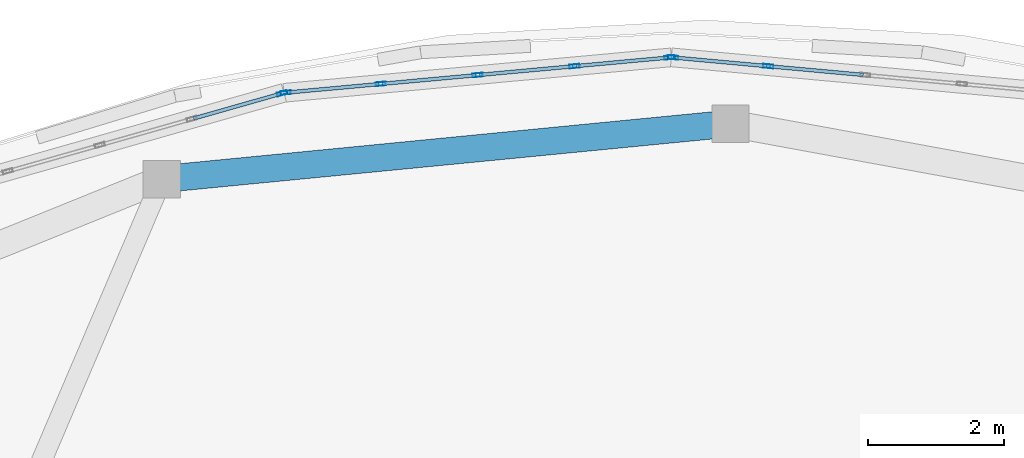
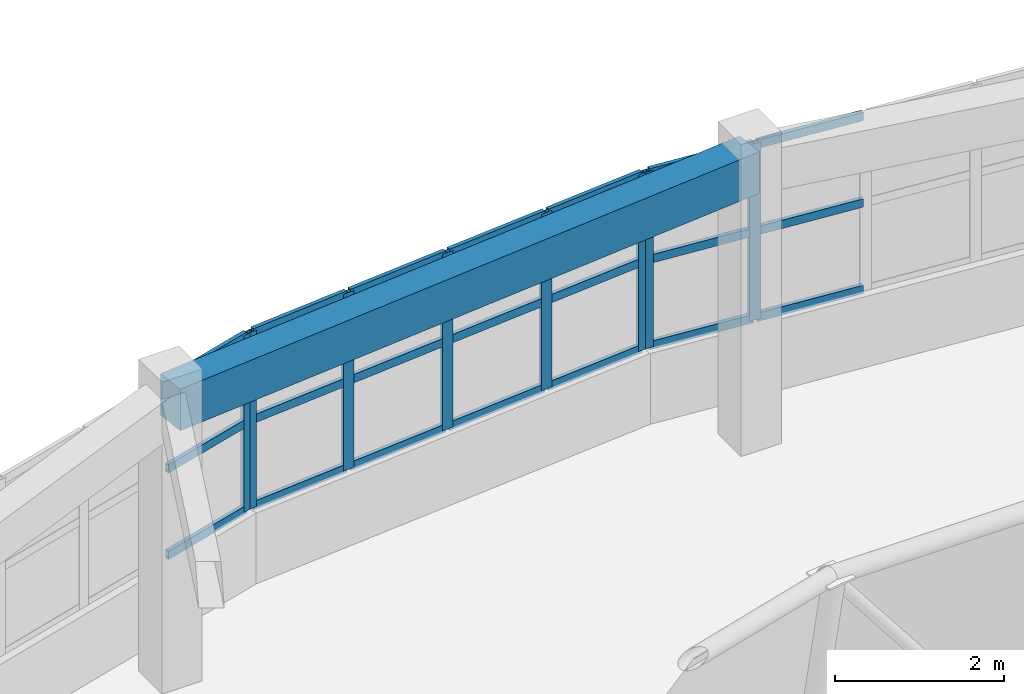
# One storey, part 20 of 46: 29 members, 1 beam, 3 elements without a shape of their own.
"""IFC4 building model written with IfcOpenShell, lengths in metres."""

from ifc_helpers import new_model, si_unit, direction, frame, origin, origin_2d, place, context, subcontext, project, spatial, rectangle, hollow_rectangle, extrude, material, layer, layer_set, material_profile, profile_set, type_object, element, aggregate, save


model = new_model("IFC4")

# Units and contexts
model_context = context("Model", 3, precision=1e-05, world=origin(), true_north=direction((0.0, 1.0)))
body_context = subcontext(model_context, "Body", "Model", "MODEL_VIEW")
ifc_project = project(units=[si_unit("LENGTHUNIT", "METRE"), si_unit("AREAUNIT", "SQUARE_METRE"), si_unit("VOLUMEUNIT", "CUBIC_METRE"), si_unit("PLANEANGLEUNIT", "RADIAN"), si_unit("MASSUNIT", "GRAM", prefix="KILO")], contexts=[model_context])

# Site, building, storey
site_placement = place(None, origin())
site = spatial("IfcSite", under=ifc_project, at=site_placement, CompositionType="ELEMENT")
building_placement = place(site_placement, origin())
building = spatial("IfcBuilding", under=site, at=building_placement, Name="Pelvatis Terrace Science Centre", CompositionType="ELEMENT")
storey_placement = place(building_placement, frame((0.0, 0.0, 19.800048828125)))
storey = spatial("IfcBuildingStorey", under=building, at=storey_placement, Name="L04", CompositionType="ELEMENT", Elevation=19.800048828125)

# Beam
ifc_material_1 = material(Name="Concrete C35/45", Category="concrete")
ifc_material_profile_1 = material_profile(ifc_material_1, rectangle(XDim=0.39990234375, YDim=0.60009765625, at=origin_2d()), Name="RC-BM 400x600")
ifc_profile_set_1 = profile_set([ifc_material_profile_1], Name="Concrete C35/45")
beam_type = type_object("IfcBeamType", Name="BM-RC-400x600", PredefinedType="BEAM", material=ifc_profile_set_1)
beam_placement = place(storey_placement, frame((110.4716796875, 104.4736328125, 3.949951171875), z_axis=(-0.995278052194, -0.097064920652, 0.0), x_axis=(0.097064920652, -0.995278052194, 0.0)))
element("IfcBeam", 1, at=beam_placement, inside=storey, type_object=beam_type, Name="Beam BM-L04-3083", PredefinedType="BEAM", context=body_context, shape_type="SweptSolid", body=[
    extrude(rectangle(XDim=0.39990234375, YDim=0.60009765625, at=origin_2d()), origin(), (0.0, 0.0, 1.0), 8.416015625),
])

# Curtain wall, members
ifc_material_2 = material(Name="Bronze-anodised aluminium and laminated glass", Category="aluminium")
ifc_layer = layer(ifc_material_2, 0.14990234375)
ifc_layer_set = layer_set([ifc_layer], Name="Bronze-anodised aluminium and laminated glass")
curtain_wall_type = type_object("IfcCurtainWallType", Name="CW-PASSAGE-C", PredefinedType="NOTDEFINED", material=ifc_layer_set)
curtain_wall_1_placement = place(storey_placement, origin())
curtain_wall_1 = element("IfcCurtainWall", 2, at=curtain_wall_1_placement, inside=storey, type_object=curtain_wall_type, Name="Ribbon curtain wall CW-217 (L04)", PredefinedType="NOTDEFINED")
ifc_material_3 = material(Name="Bronze-anodised aluminium 6063-T6", Category="aluminium")
ifc_material_profile_2 = material_profile(ifc_material_3, hollow_rectangle(XDim=0.054931640625, YDim=0.14990234375, WallThickness=0.00390625, at=origin_2d()), Name="ALU-MUL 55x150")
ifc_profile_set_2 = profile_set([ifc_material_profile_2], Name="Bronze-anodised aluminium 6063-T6")
member_type_1 = type_object("IfcMemberType", Name="CWM-55x150", PredefinedType="MULLION", material=ifc_profile_set_2)
member_1_placement = place(storey_placement, frame((111.02685546875, 105.3193359375, 1.02001953125), z_axis=(0.0, 0.0, 1.0), x_axis=(-0.09121373299, -0.995831338588, 0.0)))
member_1 = element("IfcMember", 3, at=member_1_placement, type_object=member_type_1, Name="CW-217 mullion 4", PredefinedType="MULLION", context=body_context, shape_type="SweptSolid", body=[
    extrude(hollow_rectangle(XDim=0.054931640625, YDim=0.14990234375, WallThickness=0.00390625, at=origin_2d()), origin(), (0.0, 0.0, 1.0), 2.550048828125),
])
member_2_placement = place(storey_placement, frame((109.62744140625, 105.447509765625, 1.02001953125), z_axis=(0.0, 0.0, 1.0), x_axis=(-0.09121373299, -0.995831338588, 0.0)))
member_2 = element("IfcMember", 4, at=member_2_placement, type_object=member_type_1, Name="CW-217 mullion 5", PredefinedType="MULLION", context=body_context, shape_type="SweptSolid", body=[
    extrude(hollow_rectangle(XDim=0.054931640625, YDim=0.14990234375, WallThickness=0.00390625, at=origin_2d()), origin(), (0.0, 0.0, 1.0), 2.550048828125),
])

curtain_wall_2_placement = place(storey_placement, origin())
curtain_wall_2 = element("IfcCurtainWall", 5, at=curtain_wall_2_placement, inside=storey, type_object=curtain_wall_type, Name="Ribbon curtain wall CW-218 (L04)", PredefinedType="NOTDEFINED")
member_3_placement = place(storey_placement, frame((109.572509765625, 105.447509765625, 1.02001953125), z_axis=(0.0, 0.0, 1.0), x_axis=(0.09121373299, -0.995831338588, 0.0)))
member_3 = element("IfcMember", 6, at=member_3_placement, type_object=member_type_1, Name="CW-218 mullion 1", PredefinedType="MULLION", context=body_context, shape_type="SweptSolid", body=[
    extrude(hollow_rectangle(XDim=0.054931640625, YDim=0.14990234375, WallThickness=0.00390625, at=origin_2d()), origin(), (0.0, 0.0, 1.0), 2.550048828125),
])
member_4_placement = place(storey_placement, frame((108.173095703125, 105.3193359375, 1.02001953125), z_axis=(0.0, 0.0, 1.0), x_axis=(0.09121373299, -0.995831338588, 0.0)))
member_4 = element("IfcMember", 7, at=member_4_placement, type_object=member_type_1, Name="CW-218 mullion 2", PredefinedType="MULLION", context=body_context, shape_type="SweptSolid", body=[
    extrude(hollow_rectangle(XDim=0.054931640625, YDim=0.14990234375, WallThickness=0.00390625, at=origin_2d()), origin(), (0.0, 0.0, 1.0), 2.550048828125),
])
member_5_placement = place(storey_placement, frame((106.74609375, 105.188720703125, 1.02001953125), z_axis=(0.0, 0.0, 1.0), x_axis=(0.09121373299, -0.995831338588, 0.0)))
member_5 = element("IfcMember", 8, at=member_5_placement, type_object=member_type_1, Name="CW-218 mullion 3", PredefinedType="MULLION", context=body_context, shape_type="SweptSolid", body=[
    extrude(hollow_rectangle(XDim=0.054931640625, YDim=0.14990234375, WallThickness=0.00390625, at=origin_2d()), origin(), (0.0, 0.0, 1.0), 2.550048828125),
])
member_6_placement = place(storey_placement, frame((105.3193359375, 105.057861328125, 1.02001953125), z_axis=(0.0, 0.0, 1.0), x_axis=(0.09121373299, -0.995831338588, 0.0)))
member_6 = element("IfcMember", 9, at=member_6_placement, type_object=member_type_1, Name="CW-218 mullion 4", PredefinedType="MULLION", context=body_context, shape_type="SweptSolid", body=[
    extrude(hollow_rectangle(XDim=0.054931640625, YDim=0.14990234375, WallThickness=0.00390625, at=origin_2d()), origin(), (0.0, 0.0, 1.0), 2.550048828125),
])
member_7_placement = place(storey_placement, frame((103.919677734375, 104.9296875, 1.02001953125), z_axis=(0.0, 0.0, 1.0), x_axis=(0.09121373299, -0.995831338588, 0.0)))
member_7 = element("IfcMember", 10, at=member_7_placement, type_object=member_type_1, Name="CW-218 mullion 5", PredefinedType="MULLION", context=body_context, shape_type="SweptSolid", body=[
    extrude(hollow_rectangle(XDim=0.054931640625, YDim=0.14990234375, WallThickness=0.00390625, at=origin_2d()), origin(), (0.0, 0.0, 1.0), 2.550048828125),
])

# Curtain wall, member
curtain_wall_3_placement = place(storey_placement, origin())
curtain_wall_3 = element("IfcCurtainWall", 11, at=curtain_wall_3_placement, inside=storey, type_object=curtain_wall_type, Name="Ribbon curtain wall CW-219 (L04)", PredefinedType="NOTDEFINED")
member_8_placement = place(storey_placement, frame((103.865966796875, 104.919677734375, 1.02001953125), z_axis=(0.0, 0.0, 1.0), x_axis=(0.273577429116, -0.96184998325, 0.0)))
member_8 = element("IfcMember", 12, at=member_8_placement, type_object=member_type_1, Name="CW-219 mullion 1", PredefinedType="MULLION", context=body_context, shape_type="SweptSolid", body=[
    extrude(hollow_rectangle(XDim=0.054931640625, YDim=0.14990234375, WallThickness=0.00390625, at=origin_2d()), origin(), (0.0, 0.0, 1.0), 2.550048828125),
])

# Member
ifc_material_4 = material(Name="Bronze-anodised aluminium 6063-T6", Category="aluminium")
ifc_material_profile_3 = material_profile(ifc_material_4, hollow_rectangle(XDim=0.054931640625, YDim=0.1201171875, WallThickness=0.00341796875, at=origin_2d()), Name="ALU-TRN 55x120")
ifc_profile_set_3 = profile_set([ifc_material_profile_3], Name="Bronze-anodised aluminium 6063-T6")
member_type_2 = type_object("IfcMemberType", Name="CWT-55x120", PredefinedType="USERDEFINED", material=ifc_profile_set_3)
member_9_placement = place(storey_placement, frame((112.426513671875, 105.191162109375, 1.04736328125), z_axis=(-0.995829063871, 0.091238563938, 0.0), x_axis=(-0.091238563938, -0.995829063871, 0.0)))
member_9 = element("IfcMember", 13, at=member_9_placement, type_object=member_type_2, Name="CW-217 transom 3.1", ObjectType="TRANSOM", PredefinedType="USERDEFINED", context=body_context, shape_type="SweptSolid", body=[
    extrude(hollow_rectangle(XDim=0.054931640625, YDim=0.1201171875, WallThickness=0.00341796875, at=origin_2d()), origin(), (0.0, 0.0, 1.0), 1.378173828125),
])

member_10_placement = place(storey_placement, frame((112.426513671875, 105.191162109375, 2.294921875), z_axis=(-0.995829063871, 0.091238563938, 0.0), x_axis=(-0.091238563938, -0.995829063871, 0.0)))
member_10 = element("IfcMember", 14, at=member_10_placement, type_object=member_type_2, Name="CW-217 transom 3.2", ObjectType="TRANSOM", PredefinedType="USERDEFINED", context=body_context, shape_type="SweptSolid", body=[
    extrude(hollow_rectangle(XDim=0.054931640625, YDim=0.1201171875, WallThickness=0.00341796875, at=origin_2d()), origin(), (0.0, 0.0, 1.0), 1.378173828125),
])

member_11_placement = place(storey_placement, frame((112.426513671875, 105.191162109375, 3.54248046875), z_axis=(-0.995829063871, 0.091238563938, 0.0), x_axis=(-0.091238563938, -0.995829063871, 0.0)))
member_11 = element("IfcMember", 15, at=member_11_placement, type_object=member_type_2, Name="CW-217 transom 3.3", ObjectType="TRANSOM", PredefinedType="USERDEFINED", context=body_context, shape_type="SweptSolid", body=[
    extrude(hollow_rectangle(XDim=0.054931640625, YDim=0.1201171875, WallThickness=0.00341796875, at=origin_2d()), origin(), (0.0, 0.0, 1.0), 1.378173828125),
])

member_12_placement = place(storey_placement, frame((110.99951171875, 105.32177734375, 1.04736328125), z_axis=(-0.995823260917, 0.091301878497, 0.0), x_axis=(-0.091301878497, -0.995823260917, 0.0)))
member_12 = element("IfcMember", 16, at=member_12_placement, type_object=member_type_2, Name="CW-217 transom 4.1", ObjectType="TRANSOM", PredefinedType="USERDEFINED", context=body_context, shape_type="SweptSolid", body=[
    extrude(hollow_rectangle(XDim=0.054931640625, YDim=0.1201171875, WallThickness=0.00341796875, at=origin_2d()), origin(), (0.0, 0.0, 1.0), 1.350341796875),
])

member_13_placement = place(storey_placement, frame((110.99951171875, 105.32177734375, 2.294921875), z_axis=(-0.995823260917, 0.091301878497, 0.0), x_axis=(-0.091301878497, -0.995823260917, 0.0)))
member_13 = element("IfcMember", 17, at=member_13_placement, type_object=member_type_2, Name="CW-217 transom 4.2", ObjectType="TRANSOM", PredefinedType="USERDEFINED", context=body_context, shape_type="SweptSolid", body=[
    extrude(hollow_rectangle(XDim=0.054931640625, YDim=0.1201171875, WallThickness=0.00341796875, at=origin_2d()), origin(), (0.0, 0.0, 1.0), 1.350341796875),
])

member_14_placement = place(storey_placement, frame((110.99951171875, 105.32177734375, 3.54248046875), z_axis=(-0.995823260917, 0.091301878497, 0.0), x_axis=(-0.091301878497, -0.995823260917, 0.0)))
member_14 = element("IfcMember", 18, at=member_14_placement, type_object=member_type_2, Name="CW-217 transom 4.3", ObjectType="TRANSOM", PredefinedType="USERDEFINED", context=body_context, shape_type="SweptSolid", body=[
    extrude(hollow_rectangle(XDim=0.054931640625, YDim=0.1201171875, WallThickness=0.00341796875, at=origin_2d()), origin(), (0.0, 0.0, 1.0), 1.350341796875),
])

aggregate(curtain_wall_1, [member_1, member_2, member_9, member_10, member_11, member_12, member_13, member_14])

member_15_placement = place(storey_placement, frame((109.545166015625, 105.445068359375, 1.04736328125), z_axis=(-0.995823260917, -0.091301878497, 0.0), x_axis=(0.091301878497, -0.995823260917, 0.0)))
member_15 = element("IfcMember", 19, at=member_15_placement, type_object=member_type_2, Name="CW-218 transom 1.1", ObjectType="TRANSOM", PredefinedType="USERDEFINED", context=body_context, shape_type="SweptSolid", body=[
    extrude(hollow_rectangle(XDim=0.054931640625, YDim=0.1201171875, WallThickness=0.00341796875, at=origin_2d()), origin(), (0.0, 0.0, 1.0), 1.350341796875),
])

member_16_placement = place(storey_placement, frame((109.545166015625, 105.445068359375, 2.294921875), z_axis=(-0.995823260917, -0.091301878497, 0.0), x_axis=(0.091301878497, -0.995823260917, 0.0)))
member_16 = element("IfcMember", 20, at=member_16_placement, type_object=member_type_2, Name="CW-218 transom 1.2", ObjectType="TRANSOM", PredefinedType="USERDEFINED", context=body_context, shape_type="SweptSolid", body=[
    extrude(hollow_rectangle(XDim=0.054931640625, YDim=0.1201171875, WallThickness=0.00341796875, at=origin_2d()), origin(), (0.0, 0.0, 1.0), 1.350341796875),
])

member_17_placement = place(storey_placement, frame((109.545166015625, 105.445068359375, 3.54248046875), z_axis=(-0.995823260917, -0.091301878497, 0.0), x_axis=(0.091301878497, -0.995823260917, 0.0)))
member_17 = element("IfcMember", 21, at=member_17_placement, type_object=member_type_2, Name="CW-218 transom 1.3", ObjectType="TRANSOM", PredefinedType="USERDEFINED", context=body_context, shape_type="SweptSolid", body=[
    extrude(hollow_rectangle(XDim=0.054931640625, YDim=0.1201171875, WallThickness=0.00341796875, at=origin_2d()), origin(), (0.0, 0.0, 1.0), 1.350341796875),
])

member_18_placement = place(storey_placement, frame((108.145751953125, 105.31689453125, 1.04736328125), z_axis=(-0.995829063871, -0.091238563938, 0.0), x_axis=(0.091238563938, -0.995829063871, 0.0)))
member_18 = element("IfcMember", 22, at=member_18_placement, type_object=member_type_2, Name="CW-218 transom 2.1", ObjectType="TRANSOM", PredefinedType="USERDEFINED", context=body_context, shape_type="SweptSolid", body=[
    extrude(hollow_rectangle(XDim=0.054931640625, YDim=0.1201171875, WallThickness=0.00341796875, at=origin_2d()), origin(), (0.0, 0.0, 1.0), 1.378173828125),
])

member_19_placement = place(storey_placement, frame((108.145751953125, 105.31689453125, 2.294921875), z_axis=(-0.995829063871, -0.091238563938, 0.0), x_axis=(0.091238563938, -0.995829063871, 0.0)))
member_19 = element("IfcMember", 23, at=member_19_placement, type_object=member_type_2, Name="CW-218 transom 2.2", ObjectType="TRANSOM", PredefinedType="USERDEFINED", context=body_context, shape_type="SweptSolid", body=[
    extrude(hollow_rectangle(XDim=0.054931640625, YDim=0.1201171875, WallThickness=0.00341796875, at=origin_2d()), origin(), (0.0, 0.0, 1.0), 1.378173828125),
])

member_20_placement = place(storey_placement, frame((108.145751953125, 105.31689453125, 3.54248046875), z_axis=(-0.995829063871, -0.091238563938, 0.0), x_axis=(0.091238563938, -0.995829063871, 0.0)))
member_20 = element("IfcMember", 24, at=member_20_placement, type_object=member_type_2, Name="CW-218 transom 2.3", ObjectType="TRANSOM", PredefinedType="USERDEFINED", context=body_context, shape_type="SweptSolid", body=[
    extrude(hollow_rectangle(XDim=0.054931640625, YDim=0.1201171875, WallThickness=0.00341796875, at=origin_2d()), origin(), (0.0, 0.0, 1.0), 1.378173828125),
])

member_21_placement = place(storey_placement, frame((106.71875, 105.18603515625, 1.04736328125), z_axis=(-0.995827588698, -0.091254663377, 0.0), x_axis=(0.091254663377, -0.995827588698, 0.0)))
member_21 = element("IfcMember", 25, at=member_21_placement, type_object=member_type_2, Name="CW-218 transom 3.1", ObjectType="TRANSOM", PredefinedType="USERDEFINED", context=body_context, shape_type="SweptSolid", body=[
    extrude(hollow_rectangle(XDim=0.054931640625, YDim=0.1201171875, WallThickness=0.00341796875, at=origin_2d()), origin(), (0.0, 0.0, 1.0), 1.3779296875),
])

member_22_placement = place(storey_placement, frame((106.71875, 105.18603515625, 2.294921875), z_axis=(-0.995827588698, -0.091254663377, 0.0), x_axis=(0.091254663377, -0.995827588698, 0.0)))
member_22 = element("IfcMember", 26, at=member_22_placement, type_object=member_type_2, Name="CW-218 transom 3.2", ObjectType="TRANSOM", PredefinedType="USERDEFINED", context=body_context, shape_type="SweptSolid", body=[
    extrude(hollow_rectangle(XDim=0.054931640625, YDim=0.1201171875, WallThickness=0.00341796875, at=origin_2d()), origin(), (0.0, 0.0, 1.0), 1.3779296875),
])

member_23_placement = place(storey_placement, frame((106.71875, 105.18603515625, 3.54248046875), z_axis=(-0.995827588698, -0.091254663377, 0.0), x_axis=(0.091254663377, -0.995827588698, 0.0)))
member_23 = element("IfcMember", 27, at=member_23_placement, type_object=member_type_2, Name="CW-218 transom 3.3", ObjectType="TRANSOM", PredefinedType="USERDEFINED", context=body_context, shape_type="SweptSolid", body=[
    extrude(hollow_rectangle(XDim=0.054931640625, YDim=0.1201171875, WallThickness=0.00341796875, at=origin_2d()), origin(), (0.0, 0.0, 1.0), 1.3779296875),
])

member_24_placement = place(storey_placement, frame((105.291748046875, 105.055419921875, 1.04736328125), z_axis=(-0.995823260917, -0.091301878497, 0.0), x_axis=(0.091301878497, -0.995823260917, 0.0)))
member_24 = element("IfcMember", 28, at=member_24_placement, type_object=member_type_2, Name="CW-218 transom 4.1", ObjectType="TRANSOM", PredefinedType="USERDEFINED", context=body_context, shape_type="SweptSolid", body=[
    extrude(hollow_rectangle(XDim=0.054931640625, YDim=0.1201171875, WallThickness=0.00341796875, at=origin_2d()), origin(), (0.0, 0.0, 1.0), 1.350341796875),
])

member_25_placement = place(storey_placement, frame((105.291748046875, 105.055419921875, 2.294921875), z_axis=(-0.995823260917, -0.091301878497, 0.0), x_axis=(0.091301878497, -0.995823260917, 0.0)))
member_25 = element("IfcMember", 29, at=member_25_placement, type_object=member_type_2, Name="CW-218 transom 4.2", ObjectType="TRANSOM", PredefinedType="USERDEFINED", context=body_context, shape_type="SweptSolid", body=[
    extrude(hollow_rectangle(XDim=0.054931640625, YDim=0.1201171875, WallThickness=0.00341796875, at=origin_2d()), origin(), (0.0, 0.0, 1.0), 1.350341796875),
])

member_26_placement = place(storey_placement, frame((105.291748046875, 105.055419921875, 3.54248046875), z_axis=(-0.995823260917, -0.091301878497, 0.0), x_axis=(0.091301878497, -0.995823260917, 0.0)))
member_26 = element("IfcMember", 30, at=member_26_placement, type_object=member_type_2, Name="CW-218 transom 4.3", ObjectType="TRANSOM", PredefinedType="USERDEFINED", context=body_context, shape_type="SweptSolid", body=[
    extrude(hollow_rectangle(XDim=0.054931640625, YDim=0.1201171875, WallThickness=0.00341796875, at=origin_2d()), origin(), (0.0, 0.0, 1.0), 1.350341796875),
])

aggregate(curtain_wall_2, [member_3, member_4, member_5, member_6, member_7, member_15, member_16, member_17, member_18, member_19, member_20, member_21, member_22, member_23, member_24, member_25, member_26])

member_27_placement = place(storey_placement, frame((103.83935546875, 104.912109375, 1.04736328125), z_axis=(-0.961870452647, -0.273505452092, 0.0), x_axis=(0.273505452092, -0.961870452647, 0.0)))
member_27 = element("IfcMember", 31, at=member_27_placement, type_object=member_type_2, Name="CW-219 transom 1.1", ObjectType="TRANSOM", PredefinedType="USERDEFINED", context=body_context, shape_type="SweptSolid", body=[
    extrude(hollow_rectangle(XDim=0.054931640625, YDim=0.1201171875, WallThickness=0.00341796875, at=origin_2d()), origin(), (0.0, 0.0, 1.0), 1.326416015625),
])

member_28_placement = place(storey_placement, frame((103.83935546875, 104.912109375, 2.294921875), z_axis=(-0.961870452647, -0.273505452092, 0.0), x_axis=(0.273505452092, -0.961870452647, 0.0)))
member_28 = element("IfcMember", 32, at=member_28_placement, type_object=member_type_2, Name="CW-219 transom 1.2", ObjectType="TRANSOM", PredefinedType="USERDEFINED", context=body_context, shape_type="SweptSolid", body=[
    extrude(hollow_rectangle(XDim=0.054931640625, YDim=0.1201171875, WallThickness=0.00341796875, at=origin_2d()), origin(), (0.0, 0.0, 1.0), 1.326416015625),
])

member_29_placement = place(storey_placement, frame((103.83935546875, 104.912109375, 3.54248046875), z_axis=(-0.961870452647, -0.273505452092, 0.0), x_axis=(0.273505452092, -0.961870452647, 0.0)))
member_29 = element("IfcMember", 33, at=member_29_placement, type_object=member_type_2, Name="CW-219 transom 1.3", ObjectType="TRANSOM", PredefinedType="USERDEFINED", context=body_context, shape_type="SweptSolid", body=[
    extrude(hollow_rectangle(XDim=0.054931640625, YDim=0.1201171875, WallThickness=0.00341796875, at=origin_2d()), origin(), (0.0, 0.0, 1.0), 1.326416015625),
])

aggregate(curtain_wall_3, [member_8, member_27, member_28, member_29])

save(model, "model.ifc")
